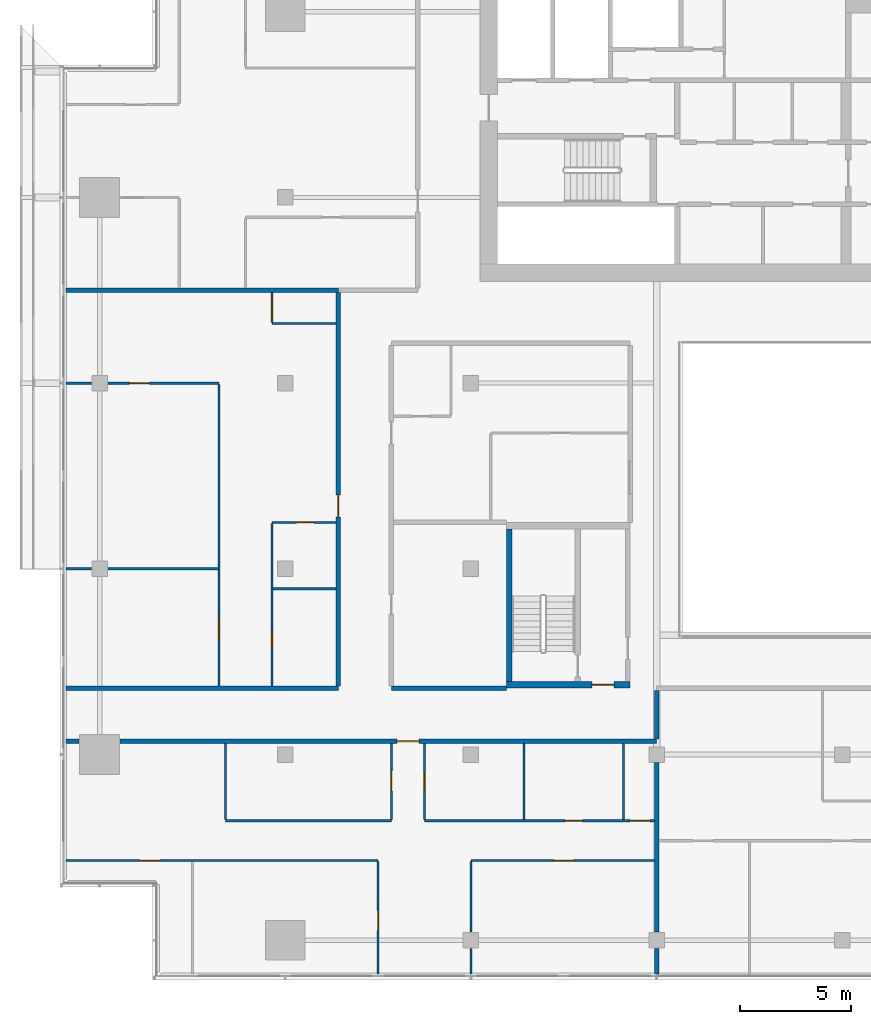
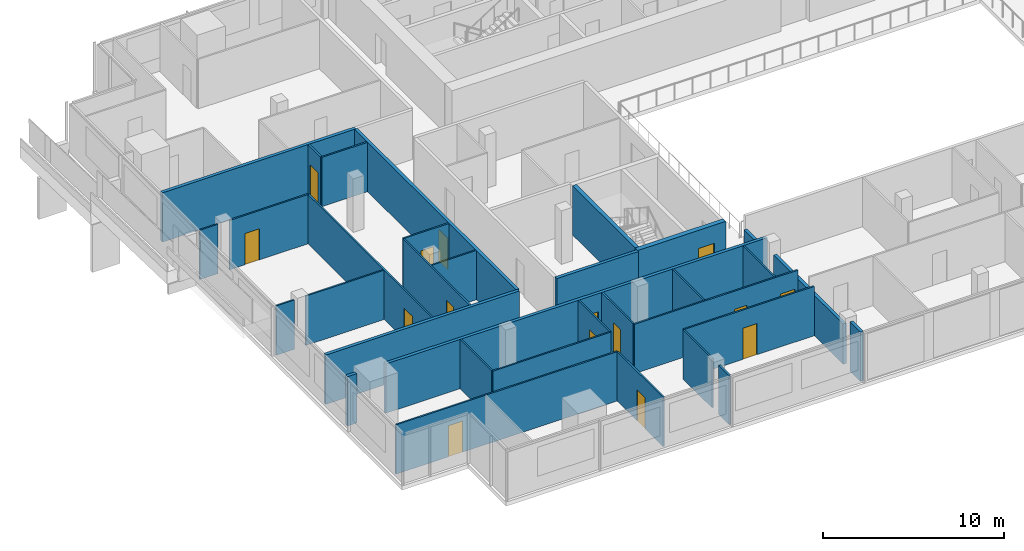
# One storey, part 16 of 27: 33 walls, 15 doors, 15 openings.
"""IFC4 building model written with IfcOpenShell, lengths in metres."""

from ifc_helpers import new_model, si_unit, direction, frame, frame_2d, origin, place, context, subcontext, project, spatial, rectangle, extrude, material, layer, layer_set, type_object, element, fill, save


model = new_model("IFC4")

# Units and contexts
model_context = context("Model", 3, precision=1e-05, world=origin(), true_north=direction((0.0, 1.0)))
body_context = subcontext(model_context, "Body", "Model", "MODEL_VIEW")
ifc_project = project(units=[si_unit("LENGTHUNIT", "METRE"), si_unit("AREAUNIT", "SQUARE_METRE"), si_unit("VOLUMEUNIT", "CUBIC_METRE"), si_unit("PLANEANGLEUNIT", "RADIAN"), si_unit("MASSUNIT", "GRAM", prefix="KILO")], contexts=[model_context])

# Site, building, storey
site_placement = place(None, origin())
site = spatial("IfcSite", under=ifc_project, at=site_placement, CompositionType="ELEMENT")
building_placement = place(site_placement, origin())
building = spatial("IfcBuilding", under=site, at=building_placement, Name="Saffron Gate Tower", CompositionType="ELEMENT")
storey_placement = place(building_placement, frame((0.0, 0.0, 183.449951171875)))
storey = spatial("IfcBuildingStorey", under=building, at=storey_placement, Name="L45", CompositionType="ELEMENT", Elevation=183.449951171875)

# Wall
ifc_material_1 = material(Name="Concrete C60", Category="concrete")
ifc_layer_1 = layer(ifc_material_1, 0.25)
ifc_layer_set_1 = layer_set([ifc_layer_1], Name="CW14 RC core wall 250 C60")
wall_type_1 = type_object("IfcWallType", Name="CW14 RC core wall 250 C60", PredefinedType="SOLIDWALL", material=ifc_layer_set_1)
wall_1_placement = place(storey_placement, frame((68.324951171875, 43.5, 0.0), z_axis=(0.0, 0.0, 1.0), x_axis=(0.0, 1.0, 0.0)))
element("IfcWall", 1, at=wall_1_placement, inside=storey, type_object=wall_type_1, Name="Wall CW14-L45-D-2", PredefinedType="SOLIDWALL", context=body_context, shape_type="SweptSolid", body=[
    extrude(rectangle(XDim=6.89990234375, YDim=0.25, at=frame_2d((3.449951171875, 0.0))), origin(), (0.0, 0.0, 1.0), 3.320068359375),
])

# Wall, opening, door
ifc_layer_2 = layer(ifc_material_1, 0.300048828125)
ifc_layer_set_2 = layer_set([ifc_layer_2], Name="CW17 RC core wall 300 C60")
wall_type_2 = type_object("IfcWallType", Name="CW17 RC core wall 300 C60", PredefinedType="SOLIDWALL", material=ifc_layer_set_2)
wall_2_placement = place(storey_placement, frame((68.199951171875, 43.35009765625, 0.0), z_axis=(0.0, 0.0, 1.0), x_axis=(1.0, 0.0, 0.0)))
wall_2 = element("IfcWall", 2, at=wall_2_placement, inside=storey, type_object=wall_type_2, Name="Wall CW17-L45-D-1", PredefinedType="SOLIDWALL", context=body_context, shape_type="SweptSolid", body=[
    extrude(rectangle(XDim=5.60009765625, YDim=0.300048828125, at=frame_2d((2.800048828125, 0.0))), origin(), (0.0, 0.0, 1.0), 3.320068359375),
])
opening_1_placement = place(wall_2_placement, frame((3.875, 0.0, 0.0)))
opening_1 = element("IfcOpeningElement", 3, at=opening_1_placement, cuts=wall_2, Name="Opening CR-18", PredefinedType="OPENING", context=body_context, shape_type="SweptSolid", body=[
    extrude(rectangle(XDim=1.0, YDim=2.10009765625, at=frame_2d((0.5, 1.050048828125))), frame((0.0, 0.16015625, 0.0), z_axis=(0.0, -1.0, 0.0), x_axis=(1.0, 0.0, 0.0)), (0.0, 0.0, 1.0), 0.320068359375),
])
ifc_material_2 = material(Name="Steel fire door set", Category="steel")
door_type_1 = type_object("IfcDoorType", Name="CD4 Lobby door 1000x2100 EI 120", OperationType="NOTDEFINED", PredefinedType="DOOR", material=ifc_material_2)
door_1_placement = place(opening_1_placement, origin())
door_1 = element("IfcDoor", 4, at=door_1_placement, inside=storey, type_object=door_type_1, Name="DOOR CR-18", OperationType="SINGLE_SWING_RIGHT", OverallHeight=2.10009765625, OverallWidth=1.0, PredefinedType="DOOR", context=body_context, shape_type="SweptSolid", body=[
    extrude(rectangle(XDim=1.0, YDim=2.10009765625, at=frame_2d((0.5, 1.050048828125))), frame((0.0, 0.02490234375, 0.0), z_axis=(0.0, -1.0, 0.0), x_axis=(1.0, 0.0, 0.0)), (0.0, 0.0, 1.0), 0.050048828125),
])
fill(opening_1, door_1)

ifc_material_3 = material(Name="Plasterboard on steel studs", Category="steel")
ifc_layer_3 = layer(ifc_material_3, 0.10009765625)
ifc_layer_set_3 = layer_set([ifc_layer_3], Name="PW1 Partition 100")
wall_type_3 = type_object("IfcWallType", Name="PW1 Partition 100", PredefinedType="PARTITIONING", material=ifc_layer_set_3)
wall_3_placement = place(storey_placement, frame((62.39990234375, 35.39990234375, 0.0), z_axis=(0.0, 0.0, 1.0), x_axis=(-1.0, 0.0, 0.0)))
wall_3 = element("IfcWall", 5, at=wall_3_placement, inside=storey, type_object=wall_type_3, Name="Partition C4-3", PredefinedType="PARTITIONING", context=body_context, shape_type="SweptSolid", body=[
    extrude(rectangle(XDim=14.119873046875, YDim=0.10009765625, at=frame_2d((7.06005859375, 0.0))), origin(), (0.0, 0.0, 1.0), 3.320068359375),
])
opening_2_placement = place(wall_3_placement, frame((9.87451171875, 0.0, 0.0)))
opening_2 = element("IfcOpeningElement", 6, at=opening_2_placement, cuts=wall_3, Name="Opening C4-10", PredefinedType="OPENING", context=body_context, shape_type="SweptSolid", body=[
    extrude(rectangle(XDim=0.89990234375, YDim=2.10009765625, at=frame_2d((0.449951171875, 1.050048828125))), frame((0.0, 0.06005859375, 0.0), z_axis=(0.0, -1.0, 0.0), x_axis=(1.0, 0.0, 0.0)), (0.0, 0.0, 1.0), 0.1201171875),
])
ifc_material_4 = material(Name="Timber door set", Category="wood")
door_type_2 = type_object("IfcDoorType", Name="RD1 Room door 900x2100", OperationType="NOTDEFINED", PredefinedType="DOOR", material=ifc_material_4)
door_2_placement = place(opening_2_placement, origin())
door_2 = element("IfcDoor", 7, at=door_2_placement, inside=storey, type_object=door_type_2, Name="Door C4-10", OperationType="SINGLE_SWING_LEFT", OverallHeight=2.10009765625, OverallWidth=0.89990234375, PredefinedType="DOOR", context=body_context, shape_type="SweptSolid", body=[
    extrude(rectangle(XDim=0.89990234375, YDim=2.10009765625, at=frame_2d((0.449951171875, 1.050048828125))), frame((0.0, 0.02490234375, 0.0), z_axis=(0.0, -1.0, 0.0), x_axis=(1.0, 0.0, 0.0)), (0.0, 0.0, 1.0), 0.050048828125),
])
fill(opening_2, door_2)

wall_4_placement = place(storey_placement, frame((74.89990234375, 35.39990234375, 0.0), z_axis=(0.0, 0.0, 1.0), x_axis=(-1.0, 0.0, 0.0)))
wall_4 = element("IfcWall", 8, at=wall_4_placement, inside=storey, type_object=wall_type_3, Name="Partition C4-4", PredefinedType="PARTITIONING", context=body_context, shape_type="SweptSolid", body=[
    extrude(rectangle(XDim=8.2998046875, YDim=0.10009765625, at=frame_2d((4.14990234375, 0.0))), origin(), (0.0, 0.0, 1.0), 3.320068359375),
])
opening_3_placement = place(wall_4_placement, frame((3.64990234375, 0.0, 0.0)))
opening_3 = element("IfcOpeningElement", 9, at=opening_3_placement, cuts=wall_4, Name="Opening C4-12", PredefinedType="OPENING", context=body_context, shape_type="SweptSolid", body=[
    extrude(rectangle(XDim=0.89990234375, YDim=2.10009765625, at=frame_2d((0.449951171875, 1.050048828125))), frame((0.0, 0.06005859375, 0.0), z_axis=(0.0, -1.0, 0.0), x_axis=(1.0, 0.0, 0.0)), (0.0, 0.0, 1.0), 0.1201171875),
])
door_3_placement = place(opening_3_placement, origin())
door_3 = element("IfcDoor", 10, at=door_3_placement, inside=storey, type_object=door_type_2, Name="Door C4-12", OperationType="SINGLE_SWING_LEFT", OverallHeight=2.10009765625, OverallWidth=0.89990234375, PredefinedType="DOOR", context=body_context, shape_type="SweptSolid", body=[
    extrude(rectangle(XDim=0.89990234375, YDim=2.10009765625, at=frame_2d((0.449951171875, 1.050048828125))), frame((0.0, 0.02490234375, 0.0), z_axis=(0.0, -1.0, 0.0), x_axis=(1.0, 0.0, 0.0)), (0.0, 0.0, 1.0), 0.050048828125),
])
fill(opening_3, door_3)

# Wall
wall_5_placement = place(storey_placement, frame((55.5, 37.199951171875, 0.0), z_axis=(0.0, 0.0, 1.0), x_axis=(1.0, 0.0, 0.0)))
element("IfcWall", 11, at=wall_5_placement, inside=storey, type_object=wall_type_3, Name="Partition C4-8", PredefinedType="PARTITIONING", context=body_context, shape_type="SweptSolid", body=[
    extrude(rectangle(XDim=7.5, YDim=0.10009765625, at=frame_2d((3.75, 0.0))), origin(), (0.0, 0.0, 1.0), 3.320068359375),
])

# Wall, openings, doors
wall_6_placement = place(storey_placement, frame((64.5, 37.199951171875, 0.0), z_axis=(0.0, 0.0, 1.0), x_axis=(1.0, 0.0, 0.0)))
wall_6 = element("IfcWall", 12, at=wall_6_placement, inside=storey, type_object=wall_type_3, Name="Partition C4-9", PredefinedType="PARTITIONING", context=body_context, shape_type="SweptSolid", body=[
    extrude(rectangle(XDim=10.39990234375, YDim=0.10009765625, at=frame_2d((5.199951171875, 0.0))), origin(), (0.0, 0.0, 1.0), 3.320068359375),
])
opening_4_placement = place(wall_6_placement, frame((6.35009765625, 0.0, 0.0)))
opening_4 = element("IfcOpeningElement", 13, at=opening_4_placement, cuts=wall_6, Name="Opening C4-41", PredefinedType="OPENING", context=body_context, shape_type="SweptSolid", body=[
    extrude(rectangle(XDim=0.800048828125, YDim=2.10009765625, at=frame_2d((0.39990234375, 1.050048828125))), frame((0.0, 0.06005859375, 0.0), z_axis=(0.0, -1.0, 0.0), x_axis=(1.0, 0.0, 0.0)), (0.0, 0.0, 1.0), 0.1201171875),
])
opening_5_placement = place(wall_6_placement, frame((9.300048828125, 0.0, 0.0)))
opening_5 = element("IfcOpeningElement", 14, at=opening_5_placement, cuts=wall_6, Name="Opening C4-14", PredefinedType="OPENING", context=body_context, shape_type="SweptSolid", body=[
    extrude(rectangle(XDim=0.89990234375, YDim=2.10009765625, at=frame_2d((0.449951171875, 1.050048828125))), frame((0.0, 0.06005859375, 0.0), z_axis=(0.0, -1.0, 0.0), x_axis=(1.0, 0.0, 0.0)), (0.0, 0.0, 1.0), 0.1201171875),
])
door_4_placement = place(opening_5_placement, origin())
door_4 = element("IfcDoor", 15, at=door_4_placement, inside=storey, type_object=door_type_2, Name="Door C4-14", OperationType="SINGLE_SWING_RIGHT", OverallHeight=2.10009765625, OverallWidth=0.89990234375, PredefinedType="DOOR", context=body_context, shape_type="SweptSolid", body=[
    extrude(rectangle(XDim=0.89990234375, YDim=2.10009765625, at=frame_2d((0.449951171875, 1.050048828125))), frame((0.0, 0.02490234375, 0.0), z_axis=(0.0, -1.0, 0.0), x_axis=(1.0, 0.0, 0.0)), (0.0, 0.0, 1.0), 0.050048828125),
])
fill(opening_5, door_4)
door_type_3 = type_object("IfcDoorType", Name="RD2 Bathroom door 800x2100", OperationType="NOTDEFINED", PredefinedType="DOOR", material=ifc_material_4)
door_5_placement = place(opening_4_placement, origin())
door_5 = element("IfcDoor", 16, at=door_5_placement, inside=storey, type_object=door_type_3, Name="Door C4-41", OperationType="SINGLE_SWING_LEFT", OverallHeight=2.10009765625, OverallWidth=0.800048828125, PredefinedType="DOOR", context=body_context, shape_type="SweptSolid", body=[
    extrude(rectangle(XDim=0.800048828125, YDim=2.10009765625, at=frame_2d((0.39990234375, 1.050048828125))), frame((0.0, 0.02490234375, 0.0), z_axis=(0.0, -1.0, 0.0), x_axis=(1.0, 0.0, 0.0)), (0.0, 0.0, 1.0), 0.050048828125),
])
fill(opening_4, door_5)

# Walls
wall_7_placement = place(storey_placement, frame((57.64990234375, 47.699951171875, 0.0), z_axis=(0.0, 0.0, 1.0), x_axis=(1.0, 0.0, 0.0)))
element("IfcWall", 17, at=wall_7_placement, inside=storey, type_object=wall_type_3, Name="Partition C4-21", PredefinedType="PARTITIONING", context=body_context, shape_type="SweptSolid", body=[
    extrude(rectangle(XDim=2.85009765625, YDim=0.10009765625, at=frame_2d((1.425048828125, 0.0))), origin(), (0.0, 0.0, 1.0), 3.320068359375),
])
wall_8_placement = place(storey_placement, frame((48.280029296875, 48.60009765625, 0.0), z_axis=(0.0, 0.0, 1.0), x_axis=(1.0, 0.0, 0.0)))
element("IfcWall", 18, at=wall_8_placement, inside=storey, type_object=wall_type_3, Name="Partition C4-22", PredefinedType="PARTITIONING", context=body_context, shape_type="SweptSolid", body=[
    extrude(rectangle(XDim=1.14990234375, YDim=0.10009765625, at=frame_2d((0.574951171875, 0.0))), origin(), (0.0, 0.0, 1.0), 3.320068359375),
])
wall_9_placement = place(storey_placement, frame((50.169921875, 48.60009765625, 0.0), z_axis=(0.0, 0.0, 1.0), x_axis=(1.0, 0.0, 0.0)))
element("IfcWall", 19, at=wall_9_placement, inside=storey, type_object=wall_type_3, Name="Partition C4-23", PredefinedType="PARTITIONING", context=body_context, shape_type="SweptSolid", body=[
    extrude(rectangle(XDim=4.97998046875, YDim=0.10009765625, at=frame_2d((2.489990234375, 0.0))), origin(), (0.0, 0.0, 1.0), 3.320068359375),
])

# Wall, opening, door
wall_10_placement = place(storey_placement, frame((60.5, 50.699951171875, 0.0), z_axis=(0.0, 0.0, 1.0), x_axis=(-1.0, 0.0, 0.0)))
wall_10 = element("IfcWall", 20, at=wall_10_placement, inside=storey, type_object=wall_type_3, Name="Partition C4-29", PredefinedType="PARTITIONING", context=body_context, shape_type="SweptSolid", body=[
    extrude(rectangle(XDim=2.89990234375, YDim=0.10009765625, at=frame_2d((1.449951171875, 0.0))), origin(), (0.0, 0.0, 1.0), 3.320068359375),
])
opening_6_placement = place(wall_10_placement, frame((1.0, 0.0, 0.0)))
opening_6 = element("IfcOpeningElement", 21, at=opening_6_placement, cuts=wall_10, Name="Opening C4-47", PredefinedType="OPENING", context=body_context, shape_type="SweptSolid", body=[
    extrude(rectangle(XDim=0.800048828125, YDim=2.10009765625, at=frame_2d((0.39990234375, 1.050048828125))), frame((0.0, 0.06005859375, 0.0), z_axis=(0.0, -1.0, 0.0), x_axis=(1.0, 0.0, 0.0)), (0.0, 0.0, 1.0), 0.1201171875),
])
door_6_placement = place(opening_6_placement, origin())
door_6 = element("IfcDoor", 22, at=door_6_placement, inside=storey, type_object=door_type_3, Name="Door C4-47", OperationType="SINGLE_SWING_LEFT", OverallHeight=2.10009765625, OverallWidth=0.800048828125, PredefinedType="DOOR", context=body_context, shape_type="SweptSolid", body=[
    extrude(rectangle(XDim=0.800048828125, YDim=2.10009765625, at=frame_2d((0.39990234375, 1.050048828125))), frame((0.0, 0.02490234375, 0.0), z_axis=(0.0, -1.0, 0.0), x_axis=(1.0, 0.0, 0.0)), (0.0, 0.0, 1.0), 0.050048828125),
])
fill(opening_6, door_6)

# Wall
wall_11_placement = place(storey_placement, frame((48.280029296875, 57.0, 0.0), z_axis=(0.0, 0.0, 1.0), x_axis=(1.0, 0.0, 0.0)))
element("IfcWall", 23, at=wall_11_placement, inside=storey, type_object=wall_type_3, Name="Partition C4-37", PredefinedType="PARTITIONING", context=body_context, shape_type="SweptSolid", body=[
    extrude(rectangle(XDim=1.14990234375, YDim=0.10009765625, at=frame_2d((0.574951171875, 0.0))), origin(), (0.0, 0.0, 1.0), 3.320068359375),
])

# Wall, opening, door
wall_12_placement = place(storey_placement, frame((55.199951171875, 57.0, 0.0), z_axis=(0.0, 0.0, 1.0), x_axis=(-1.0, 0.0, 0.0)))
wall_12 = element("IfcWall", 24, at=wall_12_placement, inside=storey, type_object=wall_type_3, Name="Partition C4-38", PredefinedType="PARTITIONING", context=body_context, shape_type="SweptSolid", body=[
    extrude(rectangle(XDim=5.030029296875, YDim=0.10009765625, at=frame_2d((2.51513671875, 0.0))), origin(), (0.0, 0.0, 1.0), 3.320068359375),
])
opening_7_placement = place(wall_12_placement, frame((3.14990234375, 0.0, 0.0)))
opening_7 = element("IfcOpeningElement", 25, at=opening_7_placement, cuts=wall_12, Name="Opening C4-27", PredefinedType="OPENING", context=body_context, shape_type="SweptSolid", body=[
    extrude(rectangle(XDim=0.89990234375, YDim=2.10009765625, at=frame_2d((0.449951171875, 1.050048828125))), frame((0.0, 0.06005859375, 0.0), z_axis=(0.0, -1.0, 0.0), x_axis=(1.0, 0.0, 0.0)), (0.0, 0.0, 1.0), 0.1201171875),
])
door_7_placement = place(opening_7_placement, origin())
door_7 = element("IfcDoor", 26, at=door_7_placement, inside=storey, type_object=door_type_2, Name="Door C4-27", OperationType="SINGLE_SWING_RIGHT", OverallHeight=2.10009765625, OverallWidth=0.89990234375, PredefinedType="DOOR", context=body_context, shape_type="SweptSolid", body=[
    extrude(rectangle(XDim=0.89990234375, YDim=2.10009765625, at=frame_2d((0.449951171875, 1.050048828125))), frame((0.0, 0.02490234375, 0.0), z_axis=(0.0, -1.0, 0.0), x_axis=(1.0, 0.0, 0.0)), (0.0, 0.0, 1.0), 0.050048828125),
])
fill(opening_7, door_7)

# Wall
wall_13_placement = place(storey_placement, frame((57.60009765625, 59.699951171875, 0.0), z_axis=(0.0, 0.0, 1.0), x_axis=(1.0, 0.0, 0.0)))
element("IfcWall", 27, at=wall_13_placement, inside=storey, type_object=wall_type_3, Name="Partition C4-42", PredefinedType="PARTITIONING", context=body_context, shape_type="SweptSolid", body=[
    extrude(rectangle(XDim=2.89990234375, YDim=0.10009765625, at=frame_2d((1.449951171875, 0.0))), origin(), (0.0, 0.0, 1.0), 3.320068359375),
])

# Wall, opening, door
wall_14_placement = place(storey_placement, frame((55.199951171875, 43.300048828125, 0.0), z_axis=(0.0, 0.0, 1.0), x_axis=(0.0, 1.0, 0.0)))
wall_14 = element("IfcWall", 28, at=wall_14_placement, inside=storey, type_object=wall_type_3, Name="Partition C4-60", PredefinedType="PARTITIONING", context=body_context, shape_type="SweptSolid", body=[
    extrude(rectangle(XDim=13.64990234375, YDim=0.10009765625, at=frame_2d((6.824951171875, 0.0))), origin(), (0.0, 0.0, 1.0), 3.320068359375),
])
opening_8_placement = place(wall_14_placement, frame((2.14990234375, 0.0, 0.0)))
opening_8 = element("IfcOpeningElement", 29, at=opening_8_placement, cuts=wall_14, Name="Opening C4-26", PredefinedType="OPENING", context=body_context, shape_type="SweptSolid", body=[
    extrude(rectangle(XDim=0.89990234375, YDim=2.10009765625, at=frame_2d((0.449951171875, 1.050048828125))), frame((0.0, 0.06005859375, 0.0), z_axis=(0.0, -1.0, 0.0), x_axis=(1.0, 0.0, 0.0)), (0.0, 0.0, 1.0), 0.1201171875),
])
door_8_placement = place(opening_8_placement, origin())
door_8 = element("IfcDoor", 30, at=door_8_placement, inside=storey, type_object=door_type_2, Name="Door C4-26", OperationType="SINGLE_SWING_LEFT", OverallHeight=2.10009765625, OverallWidth=0.89990234375, PredefinedType="DOOR", context=body_context, shape_type="SweptSolid", body=[
    extrude(rectangle(XDim=0.89990234375, YDim=2.10009765625, at=frame_2d((0.449951171875, 1.050048828125))), frame((0.0, 0.02490234375, 0.0), z_axis=(0.0, -1.0, 0.0), x_axis=(1.0, 0.0, 0.0)), (0.0, 0.0, 1.0), 0.050048828125),
])
fill(opening_8, door_8)

# Wall
wall_15_placement = place(storey_placement, frame((55.5, 40.699951171875, 0.0), z_axis=(0.0, 0.0, 1.0), x_axis=(0.0, -1.0, 0.0)))
element("IfcWall", 31, at=wall_15_placement, inside=storey, type_object=wall_type_3, Name="Partition C4-61", PredefinedType="PARTITIONING", context=body_context, shape_type="SweptSolid", body=[
    extrude(rectangle(XDim=3.449951171875, YDim=0.10009765625, at=frame_2d((1.72509765625, 0.0))), origin(), (0.0, 0.0, 1.0), 3.320068359375),
])

# Wall, opening, door
wall_16_placement = place(storey_placement, frame((57.60009765625, 50.64990234375, 0.0), z_axis=(0.0, 0.0, 1.0), x_axis=(0.0, -1.0, 0.0)))
wall_16 = element("IfcWall", 32, at=wall_16_placement, inside=storey, type_object=wall_type_3, Name="Partition C4-64", PredefinedType="PARTITIONING", context=body_context, shape_type="SweptSolid", body=[
    extrude(rectangle(XDim=7.349853515625, YDim=0.10009765625, at=frame_2d((3.6748046875, 0.0))), origin(), (0.0, 0.0, 1.0), 3.320068359375),
])
opening_9_placement = place(wall_16_placement, frame((4.800048828125, 0.0, 0.0)))
opening_9 = element("IfcOpeningElement", 33, at=opening_9_placement, cuts=wall_16, Name="Opening C4-46", PredefinedType="OPENING", context=body_context, shape_type="SweptSolid", body=[
    extrude(rectangle(XDim=0.800048828125, YDim=2.10009765625, at=frame_2d((0.39990234375, 1.050048828125))), frame((0.0, 0.06005859375, 0.0), z_axis=(0.0, -1.0, 0.0), x_axis=(1.0, 0.0, 0.0)), (0.0, 0.0, 1.0), 0.1201171875),
])
door_9_placement = place(opening_9_placement, origin())
door_9 = element("IfcDoor", 34, at=door_9_placement, inside=storey, type_object=door_type_3, Name="Door C4-46", OperationType="SINGLE_SWING_RIGHT", OverallHeight=2.10009765625, OverallWidth=0.800048828125, PredefinedType="DOOR", context=body_context, shape_type="SweptSolid", body=[
    extrude(rectangle(XDim=0.800048828125, YDim=2.10009765625, at=frame_2d((0.39990234375, 1.050048828125))), frame((0.0, 0.02490234375, 0.0), z_axis=(0.0, -1.0, 0.0), x_axis=(1.0, 0.0, 0.0)), (0.0, 0.0, 1.0), 0.050048828125),
])
fill(opening_9, door_9)

wall_17_placement = place(storey_placement, frame((57.60009765625, 61.10009765625, 0.0), z_axis=(0.0, 0.0, 1.0), x_axis=(0.0, -1.0, 0.0)))
wall_17 = element("IfcWall", 35, at=wall_17_placement, inside=storey, type_object=wall_type_3, Name="Partition C4-65", PredefinedType="PARTITIONING", context=body_context, shape_type="SweptSolid", body=[
    extrude(rectangle(XDim=1.35009765625, YDim=0.10009765625, at=frame_2d((0.675048828125, 0.0))), origin(), (0.0, 0.0, 1.0), 3.320068359375),
])
opening_10_placement = place(wall_17_placement, frame((0.199951171875, 0.0, 0.0)))
opening_10 = element("IfcOpeningElement", 36, at=opening_10_placement, cuts=wall_17, Name="Opening C4-28", PredefinedType="OPENING", context=body_context, shape_type="SweptSolid", body=[
    extrude(rectangle(XDim=0.89990234375, YDim=2.10009765625, at=frame_2d((0.449951171875, 1.050048828125))), frame((0.0, 0.06005859375, 0.0), z_axis=(0.0, -1.0, 0.0), x_axis=(1.0, 0.0, 0.0)), (0.0, 0.0, 1.0), 0.1201171875),
])
door_10_placement = place(opening_10_placement, origin())
door_10 = element("IfcDoor", 37, at=door_10_placement, inside=storey, type_object=door_type_2, Name="Door C4-28", OperationType="SINGLE_SWING_LEFT", OverallHeight=2.10009765625, OverallWidth=0.89990234375, PredefinedType="DOOR", context=body_context, shape_type="SweptSolid", body=[
    extrude(rectangle(XDim=0.89990234375, YDim=2.10009765625, at=frame_2d((0.449951171875, 1.050048828125))), frame((0.0, 0.02490234375, 0.0), z_axis=(0.0, -1.0, 0.0), x_axis=(1.0, 0.0, 0.0)), (0.0, 0.0, 1.0), 0.050048828125),
])
fill(opening_10, door_10)

wall_18_placement = place(storey_placement, frame((62.39990234375, 30.280029296875, 0.0), z_axis=(0.0, 0.0, 1.0), x_axis=(0.0, 1.0, 0.0)))
wall_18 = element("IfcWall", 38, at=wall_18_placement, inside=storey, type_object=wall_type_3, Name="Partition C4-67", PredefinedType="PARTITIONING", context=body_context, shape_type="SweptSolid", body=[
    extrude(rectangle(XDim=5.070068359375, YDim=0.10009765625, at=frame_2d((2.53515625, 0.0))), origin(), (0.0, 0.0, 1.0), 3.320068359375),
])
opening_11_placement = place(wall_18_placement, frame((1.969970703125, 0.0, 0.0)))
opening_11 = element("IfcOpeningElement", 39, at=opening_11_placement, cuts=wall_18, Name="Opening C4-11", PredefinedType="OPENING", context=body_context, shape_type="SweptSolid", body=[
    extrude(rectangle(XDim=0.89990234375, YDim=2.10009765625, at=frame_2d((0.449951171875, 1.050048828125))), frame((0.0, 0.06005859375, 0.0), z_axis=(0.0, -1.0, 0.0), x_axis=(1.0, 0.0, 0.0)), (0.0, 0.0, 1.0), 0.1201171875),
])
door_11_placement = place(opening_11_placement, origin())
door_11 = element("IfcDoor", 40, at=door_11_placement, inside=storey, type_object=door_type_2, Name="Door C4-11", OperationType="SINGLE_SWING_LEFT", OverallHeight=2.10009765625, OverallWidth=0.89990234375, PredefinedType="DOOR", context=body_context, shape_type="SweptSolid", body=[
    extrude(rectangle(XDim=0.89990234375, YDim=2.10009765625, at=frame_2d((0.449951171875, 1.050048828125))), frame((0.0, 0.02490234375, 0.0), z_axis=(0.0, -1.0, 0.0), x_axis=(1.0, 0.0, 0.0)), (0.0, 0.0, 1.0), 0.050048828125),
])
fill(opening_11, door_11)

wall_19_placement = place(storey_placement, frame((63.0, 37.25, 0.0), z_axis=(0.0, 0.0, 1.0), x_axis=(0.0, 1.0, 0.0)))
wall_19 = element("IfcWall", 41, at=wall_19_placement, inside=storey, type_object=wall_type_3, Name="Partition C4-69", PredefinedType="PARTITIONING", context=body_context, shape_type="SweptSolid", body=[
    extrude(rectangle(XDim=3.449951171875, YDim=0.10009765625, at=frame_2d((1.72509765625, 0.0))), origin(), (0.0, 0.0, 1.0), 3.320068359375),
])
opening_12_placement = place(wall_19_placement, frame((1.300048828125, 0.0, 0.0)))
opening_12 = element("IfcOpeningElement", 42, at=opening_12_placement, cuts=wall_19, Name="Opening C4-13", PredefinedType="OPENING", context=body_context, shape_type="SweptSolid", body=[
    extrude(rectangle(XDim=0.89990234375, YDim=2.10009765625, at=frame_2d((0.449951171875, 1.050048828125))), frame((0.0, 0.06005859375, 0.0), z_axis=(0.0, -1.0, 0.0), x_axis=(1.0, 0.0, 0.0)), (0.0, 0.0, 1.0), 0.1201171875),
])
door_12_placement = place(opening_12_placement, origin())
door_12 = element("IfcDoor", 43, at=door_12_placement, inside=storey, type_object=door_type_2, Name="Door C4-13", OperationType="SINGLE_SWING_RIGHT", OverallHeight=2.10009765625, OverallWidth=0.89990234375, PredefinedType="DOOR", context=body_context, shape_type="SweptSolid", body=[
    extrude(rectangle(XDim=0.89990234375, YDim=2.10009765625, at=frame_2d((0.449951171875, 1.050048828125))), frame((0.0, 0.02490234375, 0.0), z_axis=(0.0, -1.0, 0.0), x_axis=(1.0, 0.0, 0.0)), (0.0, 0.0, 1.0), 0.050048828125),
])
fill(opening_12, door_12)

wall_20_placement = place(storey_placement, frame((64.5, 40.699951171875, 0.0), z_axis=(0.0, 0.0, 1.0), x_axis=(0.0, -1.0, 0.0)))
wall_20 = element("IfcWall", 44, at=wall_20_placement, inside=storey, type_object=wall_type_3, Name="Partition C4-71", PredefinedType="PARTITIONING", context=body_context, shape_type="SweptSolid", body=[
    extrude(rectangle(XDim=3.449951171875, YDim=0.10009765625, at=frame_2d((1.72509765625, 0.0))), origin(), (0.0, 0.0, 1.0), 3.320068359375),
])
opening_13_placement = place(wall_20_placement, frame((1.300048828125, 0.0, 0.0)))
opening_13 = element("IfcOpeningElement", 45, at=opening_13_placement, cuts=wall_20, Name="Opening C4-40", PredefinedType="OPENING", context=body_context, shape_type="SweptSolid", body=[
    extrude(rectangle(XDim=0.800048828125, YDim=2.10009765625, at=frame_2d((0.39990234375, 1.050048828125))), frame((0.0, 0.06005859375, 0.0), z_axis=(0.0, -1.0, 0.0), x_axis=(1.0, 0.0, 0.0)), (0.0, 0.0, 1.0), 0.1201171875),
])
door_13_placement = place(opening_13_placement, origin())
door_13 = element("IfcDoor", 46, at=door_13_placement, inside=storey, type_object=door_type_3, Name="Door C4-40", OperationType="SINGLE_SWING_LEFT", OverallHeight=2.10009765625, OverallWidth=0.800048828125, PredefinedType="DOOR", context=body_context, shape_type="SweptSolid", body=[
    extrude(rectangle(XDim=0.800048828125, YDim=2.10009765625, at=frame_2d((0.39990234375, 1.050048828125))), frame((0.0, 0.02490234375, 0.0), z_axis=(0.0, -1.0, 0.0), x_axis=(1.0, 0.0, 0.0)), (0.0, 0.0, 1.0), 0.050048828125),
])
fill(opening_13, door_13)

# Walls
wall_21_placement = place(storey_placement, frame((66.60009765625, 31.429931640625, 0.0), z_axis=(0.0, 0.0, 1.0), x_axis=(0.0, -1.0, 0.0)))
element("IfcWall", 47, at=wall_21_placement, inside=storey, type_object=wall_type_3, Name="Partition C4-73", PredefinedType="PARTITIONING", context=body_context, shape_type="SweptSolid", body=[
    extrude(rectangle(XDim=1.14990234375, YDim=0.10009765625, at=frame_2d((0.574951171875, 0.0))), origin(), (0.0, 0.0, 1.0), 3.320068359375),
])
wall_22_placement = place(storey_placement, frame((66.60009765625, 35.35009765625, 0.0), z_axis=(0.0, 0.0, 1.0), x_axis=(0.0, -1.0, 0.0)))
element("IfcWall", 48, at=wall_22_placement, inside=storey, type_object=wall_type_3, Name="Partition C4-74", PredefinedType="PARTITIONING", context=body_context, shape_type="SweptSolid", body=[
    extrude(rectangle(XDim=3.18017578125, YDim=0.10009765625, at=frame_2d((1.590087890625, 0.0))), origin(), (0.0, 0.0, 1.0), 3.320068359375),
])
for number, where, z_axis, x_axis, name in (
    (49, (69.0, 40.699951171875, 0.0), (0.0, 0.0, 1.0), (0.0, -1.0, 0.0), "Partition C4-76"),
    (50, (73.5, 40.699951171875, 0.0), (0.0, 0.0, 1.0), (0.0, -1.0, 0.0), "Partition C4-77"),
):
    element("IfcWall", number, at=place(storey_placement, frame(where, z_axis=z_axis, x_axis=x_axis)), inside=storey, type_object=wall_type_3, Name=name, PredefinedType="PARTITIONING", context=body_context, shape_type="SweptSolid", body=[
        extrude(rectangle(XDim=3.449951171875, YDim=0.10009765625, at=frame_2d((1.72509765625, 0.0))), origin(), (0.0, 0.0, 1.0), 3.320068359375),
    ])
ifc_material_5 = material(Name="Clay brick masonry, rendered", Category="masonry")
ifc_layer_4 = layer(ifc_material_5, 0.199951171875)
ifc_layer_set_4 = layer_set([ifc_layer_4], Name="PW2 Demising wall 200")
wall_type_4 = type_object("IfcWallType", Name="PW2 Demising wall 200", PredefinedType="PARTITIONING", material=ifc_layer_set_4)
wall_23_placement = place(storey_placement, frame((48.280029296875, 61.199951171875, 0.0), z_axis=(0.0, 0.0, 1.0), x_axis=(1.0, 0.0, 0.0)))
element("IfcWall", 51, at=wall_23_placement, inside=storey, type_object=wall_type_4, Name="Wall C4-45", PredefinedType="PARTITIONING", context=body_context, shape_type="SweptSolid", body=[
    extrude(rectangle(XDim=12.320068359375, YDim=0.199951171875, at=frame_2d((6.16015625, 0.0))), origin(), (0.0, 0.0, 1.0), 3.320068359375),
])
wall_24_placement = place(storey_placement, frame((75.0, 31.429931640625, 0.0), z_axis=(0.0, 0.0, 1.0), x_axis=(0.0, -1.0, 0.0)))
element("IfcWall", 52, at=wall_24_placement, inside=storey, type_object=wall_type_4, Name="Wall C4-80", PredefinedType="PARTITIONING", context=body_context, shape_type="SweptSolid", body=[
    extrude(rectangle(XDim=1.14990234375, YDim=0.199951171875, at=frame_2d((0.574951171875, 0.0))), origin(), (0.0, 0.0, 1.0), 3.320068359375),
])
wall_25_placement = place(storey_placement, frame((75.0, 39.830078125, 0.0), z_axis=(0.0, 0.0, 1.0), x_axis=(0.0, -1.0, 0.0)))
element("IfcWall", 53, at=wall_25_placement, inside=storey, type_object=wall_type_4, Name="Wall C4-81", PredefinedType="PARTITIONING", context=body_context, shape_type="SweptSolid", body=[
    extrude(rectangle(XDim=7.66015625, YDim=0.199951171875, at=frame_2d((3.830078125, 0.0))), origin(), (0.0, 0.0, 1.0), 2.719970703125),
])
ifc_layer_5 = layer(ifc_material_5, 0.199951171875)
ifc_layer_set_5 = layer_set([ifc_layer_5], Name="PW3 Corridor wall 200")
wall_type_5 = type_object("IfcWallType", Name="PW3 Corridor wall 200", PredefinedType="PARTITIONING", material=ifc_layer_set_5)
wall_26_placement = place(storey_placement, frame((48.280029296875, 40.800048828125, 0.0), z_axis=(0.0, 0.0, 1.0), x_axis=(1.0, 0.0, 0.0)))
element("IfcWall", 54, at=wall_26_placement, inside=storey, type_object=wall_type_5, Name="Wall C4-12", PredefinedType="PARTITIONING", context=body_context, shape_type="SweptSolid", body=[
    extrude(rectangle(XDim=0.599853515625, YDim=0.199951171875, at=frame_2d((0.2998046875, 0.0))), origin(), (0.0, 0.0, 1.0), 3.320068359375),
])

# Wall, opening, door
wall_27_placement = place(storey_placement, frame((75.0, 40.800048828125, 0.0), z_axis=(0.0, 0.0, 1.0), x_axis=(-1.0, 0.0, 0.0)))
wall_27 = element("IfcWall", 55, at=wall_27_placement, inside=storey, type_object=wall_type_5, Name="Wall C4-13", PredefinedType="PARTITIONING", context=body_context, shape_type="SweptSolid", body=[
    extrude(rectangle(XDim=24.280029296875, YDim=0.199951171875, at=frame_2d((12.14013671875, 0.0))), origin(), (0.0, 0.0, 1.0), 3.320068359375),
])
opening_14_placement = place(wall_27_placement, frame((10.75, 0.0, 0.0)))
opening_14 = element("IfcOpeningElement", 56, at=opening_14_placement, cuts=wall_27, Name="Opening C4-1", PredefinedType="OPENING", context=body_context, shape_type="SweptSolid", body=[
    extrude(rectangle(XDim=1.0, YDim=2.10009765625, at=frame_2d((0.5, 1.050048828125))), frame((0.0, 0.10986328125, 0.0), z_axis=(0.0, -1.0, 0.0), x_axis=(1.0, 0.0, 0.0)), (0.0, 0.0, 1.0), 0.219970703125),
])
ifc_material_6 = material(Name="Timber fire door set", Category="wood")
door_type_4 = type_object("IfcDoorType", Name="FD1 Flat entry door 1000x2100", OperationType="NOTDEFINED", PredefinedType="DOOR", material=ifc_material_6)
door_14_placement = place(opening_14_placement, origin())
door_14 = element("IfcDoor", 57, at=door_14_placement, inside=storey, type_object=door_type_4, Name="Door C4-1", OperationType="SINGLE_SWING_LEFT", OverallHeight=2.10009765625, OverallWidth=1.0, PredefinedType="DOOR", context=body_context, shape_type="SweptSolid", body=[
    extrude(rectangle(XDim=1.0, YDim=2.10009765625, at=frame_2d((0.5, 1.050048828125))), frame((0.0, 0.02490234375, 0.0), z_axis=(0.0, -1.0, 0.0), x_axis=(1.0, 0.0, 0.0)), (0.0, 0.0, 1.0), 0.050048828125),
])
fill(opening_14, door_14)

# Walls
wall_28_placement = place(storey_placement, frame((48.280029296875, 43.199951171875, 0.0), z_axis=(0.0, 0.0, 1.0), x_axis=(1.0, 0.0, 0.0)))
element("IfcWall", 58, at=wall_28_placement, inside=storey, type_object=wall_type_5, Name="Wall C4-16", PredefinedType="PARTITIONING", context=body_context, shape_type="SweptSolid", body=[
    extrude(rectangle(XDim=12.320068359375, YDim=0.199951171875, at=frame_2d((6.16015625, 0.0))), origin(), (0.0, 0.0, 1.0), 3.320068359375),
])
wall_29_placement = place(storey_placement, frame((63.0, 43.199951171875, 0.0), z_axis=(0.0, 0.0, 1.0), x_axis=(1.0, 0.0, 0.0)))
element("IfcWall", 59, at=wall_29_placement, inside=storey, type_object=wall_type_5, Name="Wall C4-17", PredefinedType="PARTITIONING", context=body_context, shape_type="SweptSolid", body=[
    extrude(rectangle(XDim=5.199951171875, YDim=0.199951171875, at=frame_2d((2.60009765625, 0.0))), origin(), (0.0, 0.0, 1.0), 3.320068359375),
])

# Wall, opening, door
wall_30_placement = place(storey_placement, frame((60.60009765625, 43.300048828125, 0.0), z_axis=(0.0, 0.0, 1.0), x_axis=(0.0, 1.0, 0.0)))
wall_30 = element("IfcWall", 60, at=wall_30_placement, inside=storey, type_object=wall_type_5, Name="Wall C4-66", PredefinedType="PARTITIONING", context=body_context, shape_type="SweptSolid", body=[
    extrude(rectangle(XDim=17.800048828125, YDim=0.199951171875, at=frame_2d((8.89990234375, 0.0))), origin(), (0.0, 0.0, 1.0), 3.320068359375),
])
opening_15_placement = place(wall_30_placement, frame((7.64990234375, 0.0, 0.0)))
opening_15 = element("IfcOpeningElement", 61, at=opening_15_placement, cuts=wall_30, Name="Opening C4-4", PredefinedType="OPENING", context=body_context, shape_type="SweptSolid", body=[
    extrude(rectangle(XDim=1.0, YDim=2.10009765625, at=frame_2d((0.5, 1.050048828125))), frame((0.0, 0.10986328125, 0.0), z_axis=(0.0, -1.0, 0.0), x_axis=(1.0, 0.0, 0.0)), (0.0, 0.0, 1.0), 0.219970703125),
])
door_15_placement = place(opening_15_placement, origin())
door_15 = element("IfcDoor", 62, at=door_15_placement, inside=storey, type_object=door_type_4, Name="Door C4-4", OperationType="SINGLE_SWING_RIGHT", OverallHeight=2.10009765625, OverallWidth=1.0, PredefinedType="DOOR", context=body_context, shape_type="SweptSolid", body=[
    extrude(rectangle(XDim=1.0, YDim=2.10009765625, at=frame_2d((0.5, 1.050048828125))), frame((0.0, 0.02490234375, 0.0), z_axis=(0.0, -1.0, 0.0), x_axis=(1.0, 0.0, 0.0)), (0.0, 0.0, 1.0), 0.050048828125),
])
fill(opening_15, door_15)

# Wall
wall_31_placement = place(storey_placement, frame((75.0, 43.10009765625, 0.0), z_axis=(0.0, 0.0, 1.0), x_axis=(0.0, -1.0, 0.0)))
element("IfcWall", 63, at=wall_31_placement, inside=storey, type_object=wall_type_5, Name="Wall C4-79", PredefinedType="PARTITIONING", context=body_context, shape_type="SweptSolid", body=[
    extrude(rectangle(XDim=2.2001953125, YDim=0.199951171875, at=frame_2d((1.10009765625, 0.0))), origin(), (0.0, 0.0, 1.0), 2.429931640625),
])

save(model, "model.ifc")
